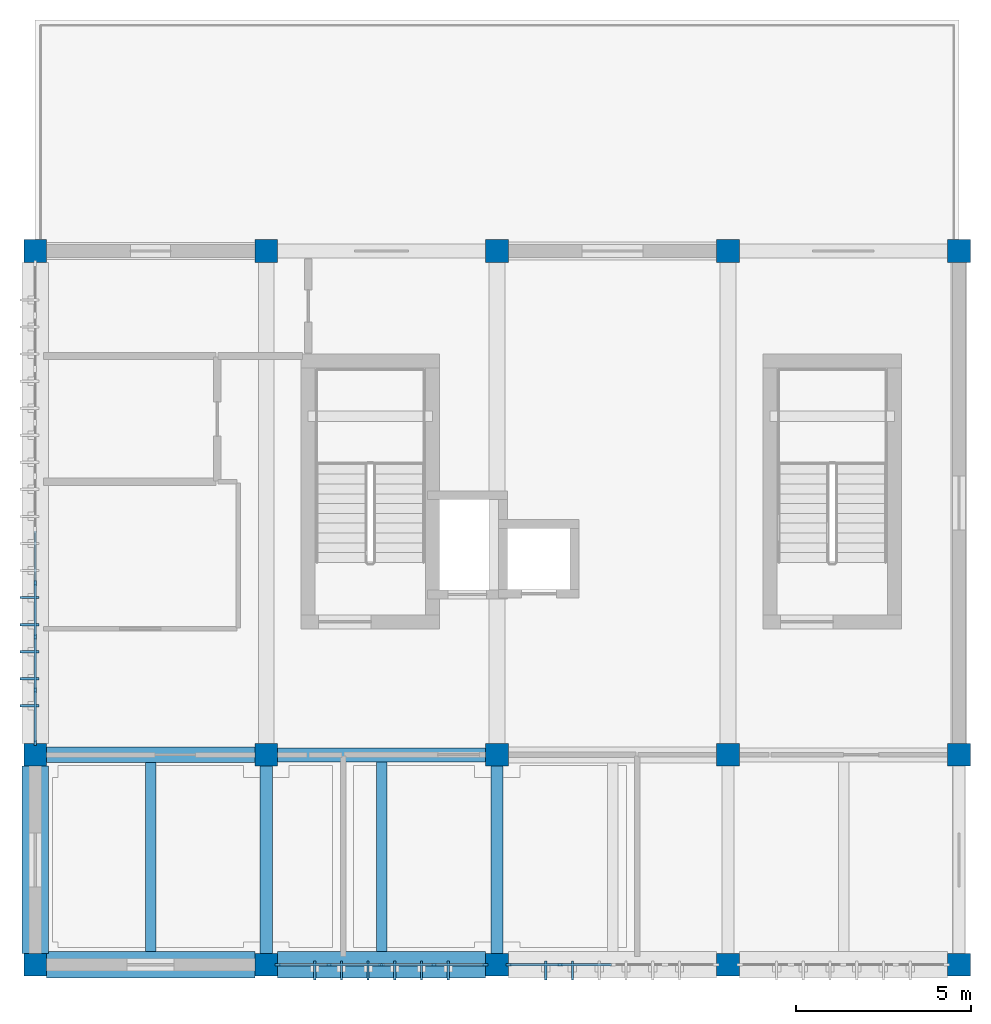
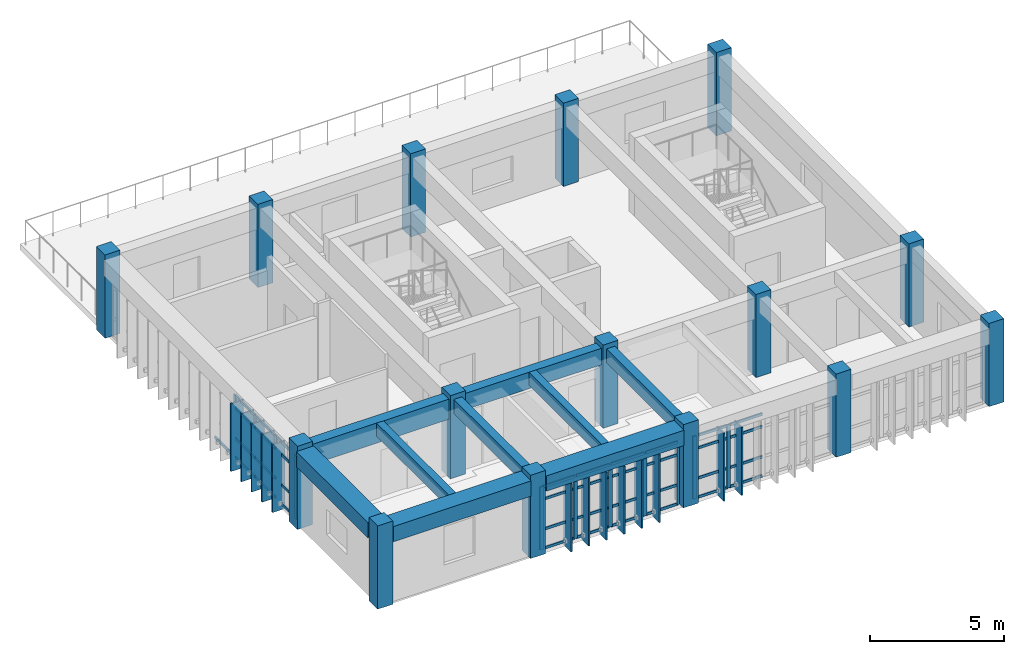
# One storey, part 1 of 8: 61 members, 15 columns, 9 beams, 3 elements without a shape of their own.
"""IFC4 building model written with IfcOpenShell, lengths in metres."""

from ifc_helpers import new_model, si_unit, direction, frame, origin, origin_2d, place, context, subcontext, project, spatial, rectangle, extrude, material, layer, layer_set, material_profile, profile_set, type_object, element, aggregate, save


model = new_model("IFC4")

# Units and contexts
model_context = context("Model", 3, precision=1e-05, world=origin(), true_north=direction((0.0, 1.0)))
body_context = subcontext(model_context, "Body", "Model", "MODEL_VIEW")
ifc_project = project(units=[si_unit("LENGTHUNIT", "METRE"), si_unit("AREAUNIT", "SQUARE_METRE"), si_unit("VOLUMEUNIT", "CUBIC_METRE"), si_unit("PLANEANGLEUNIT", "RADIAN"), si_unit("MASSUNIT", "GRAM", prefix="KILO")], contexts=[model_context])

# Site, building, storey
site_placement = place(None, origin())
site = spatial("IfcSite", under=ifc_project, at=site_placement, CompositionType="ELEMENT")
building_placement = place(site_placement, origin())
building = spatial("IfcBuilding", under=site, at=building_placement, Name="Miralva Faculty of Natural Sciences", CompositionType="ELEMENT")
storey_placement = place(building_placement, frame((0.0, 0.0, 36.800048828125)))
storey = spatial("IfcBuildingStorey", under=building, at=storey_placement, Name="L08", CompositionType="ELEMENT", Elevation=36.800048828125)

# Columns
ifc_material_1 = material(Name="Concrete C40/50", Category="concrete")
ifc_material_profile_1 = material_profile(ifc_material_1, rectangle(XDim=0.64990234375, YDim=0.64990234375, at=origin_2d()), Name="RC 650x650")
ifc_profile_set_1 = profile_set([ifc_material_profile_1], Name="Concrete C40/50")
column_type = type_object("IfcColumnType", Name="COL-C08", PredefinedType="COLUMN", material=ifc_profile_set_1)
for number, where, z_axis, x_axis, name in (
    (1, (3.0, 3.0, 0.0), (0.0, 0.0, 1.0), (1.0, 0.0, 0.0), "Column CS-V5-1A L08"),
    (2, (3.0, 9.0, 0.0), (0.0, 0.0, 1.0), (1.0, 0.0, 0.0), "Column CS-V5-1B L08"),
    (3, (3.0, 23.39990234375, 0.0), (0.0, 0.0, 1.0), (1.0, 0.0, 0.0), "Column CS-V5-1C L08"),
    (4, (9.60009765625, 3.0, 0.0), (0.0, 0.0, 1.0), (1.0, 0.0, 0.0), "Column CS-V5-2A L08"),
    (5, (9.60009765625, 9.0, 0.0), (0.0, 0.0, 1.0), (1.0, 0.0, 0.0), "Column CS-V5-2B L08"),
    (6, (9.60009765625, 23.39990234375, 0.0), (0.0, 0.0, 1.0), (1.0, 0.0, 0.0), "Column CS-V5-2C L08"),
    (7, (16.199951171875, 3.0, 0.0), (0.0, 0.0, 1.0), (1.0, 0.0, 0.0), "Column CS-V5-3A L08"),
    (8, (16.199951171875, 9.0, 0.0), (0.0, 0.0, 1.0), (1.0, 0.0, 0.0), "Column CS-V5-3B L08"),
    (9, (16.199951171875, 23.39990234375, 0.0), (0.0, 0.0, 1.0), (1.0, 0.0, 0.0), "Column CS-V5-3C L08"),
    (10, (22.800048828125, 3.0, 0.0), (0.0, 0.0, 1.0), (1.0, 0.0, 0.0), "Column CS-V5-4A L08"),
    (11, (22.800048828125, 9.0, 0.0), (0.0, 0.0, 1.0), (1.0, 0.0, 0.0), "Column CS-V5-4B L08"),
    (12, (22.800048828125, 23.39990234375, 0.0), (0.0, 0.0, 1.0), (1.0, 0.0, 0.0), "Column CS-V5-4C L08"),
    (13, (29.39990234375, 3.0, 0.0), (0.0, 0.0, 1.0), (1.0, 0.0, 0.0), "Column CS-V5-5A L08"),
    (14, (29.39990234375, 9.0, 0.0), (0.0, 0.0, 1.0), (1.0, 0.0, 0.0), "Column CS-V5-5B L08"),
    (15, (29.39990234375, 23.39990234375, 0.0), (0.0, 0.0, 1.0), (1.0, 0.0, 0.0), "Column CS-V5-5C L08"),
):
    element("IfcColumn", number, at=place(storey_placement, frame(where, z_axis=z_axis, x_axis=x_axis)), inside=storey, type_object=column_type, Name=name, PredefinedType="COLUMN", context=body_context, shape_type="SweptSolid", body=[
        extrude(rectangle(XDim=0.64990234375, YDim=0.64990234375, at=origin_2d()), origin(), (0.0, 0.0, 1.0), 3.800048828125),
    ])

# Beams
ifc_material_profile_2 = material_profile(ifc_material_1, rectangle(XDim=0.39990234375, YDim=0.75, at=origin_2d()), Name="RC 400x750")
ifc_profile_set_2 = profile_set([ifc_material_profile_2], Name="Concrete C40/50")
beam_type_1 = type_object("IfcBeamType", Name="BM-B03", PredefinedType="BEAM", material=ifc_profile_set_2)
beam_1_placement = place(storey_placement, frame((9.925048828125, 9.0, 3.204833984375), z_axis=(1.0, 0.0, 0.0), x_axis=(0.0, 1.0, 0.0)))
element("IfcBeam", 16, at=beam_1_placement, inside=storey, type_object=beam_type_1, Name="Girder EW L08-6", PredefinedType="BEAM", context=body_context, shape_type="SweptSolid", body=[
    extrude(rectangle(XDim=0.39990234375, YDim=0.75, at=origin_2d()), origin(), (0.0, 0.0, 1.0), 5.949951171875),
])
ifc_material_profile_3 = material_profile(ifc_material_1, rectangle(XDim=0.35009765625, YDim=0.64990234375, at=origin_2d()), Name="RC 350x650")
ifc_profile_set_3 = profile_set([ifc_material_profile_3], Name="Concrete C40/50")
beam_type_2 = type_object("IfcBeamType", Name="BM-B05", PredefinedType="BEAM", material=ifc_profile_set_3)
for number, where, z_axis, x_axis, name in (
    (17, (9.60009765625, 3.324951171875, 3.2548828125), (0.0, 1.0, 0.0), (-1.0, 0.0, 0.0), "Girder NS L08-15"),
    (18, (16.199951171875, 3.324951171875, 3.2548828125), (0.0, 1.0, 0.0), (-1.0, 0.0, 0.0), "Girder NS L08-17"),
):
    element("IfcBeam", number, at=place(storey_placement, frame(where, z_axis=z_axis, x_axis=x_axis)), inside=storey, type_object=beam_type_2, Name=name, PredefinedType="BEAM", context=body_context, shape_type="SweptSolid", body=[
        extrude(rectangle(XDim=0.35009765625, YDim=0.64990234375, at=origin_2d()), origin(), (0.0, 0.0, 1.0), 5.35009765625),
    ])
ifc_material_profile_4 = material_profile(ifc_material_1, rectangle(XDim=0.43994140625, YDim=0.919921875, at=origin_2d()), Name="RC 440x920")
ifc_profile_set_4 = profile_set([ifc_material_profile_4], Name="Concrete C40/50")
beam_type_3 = type_object("IfcBeamType", Name="BM-BG14", PredefinedType="BEAM", material=ifc_profile_set_4)
beam_2_placement = place(storey_placement, frame((3.324951171875, 9.0, 3.119873046875), z_axis=(1.0, 0.0, 0.0), x_axis=(0.0, 1.0, 0.0)))
element("IfcBeam", 19, at=beam_2_placement, inside=storey, type_object=beam_type_3, Name="Girder EW L08-5", PredefinedType="BEAM", context=body_context, shape_type="SweptSolid", body=[
    extrude(rectangle(XDim=0.43994140625, YDim=0.919921875, at=origin_2d()), origin(), (0.0, 0.0, 1.0), 5.949951171875),
])
ifc_material_profile_5 = material_profile(ifc_material_1, rectangle(XDim=0.300048828125, YDim=0.60009765625, at=origin_2d()), Name="RC 300x600")
ifc_profile_set_5 = profile_set([ifc_material_profile_5], Name="Concrete C40/50")
beam_type_4 = type_object("IfcBeamType", Name="BM-J01", PredefinedType="JOIST", material=ifc_profile_set_5)
beam_3_placement = place(storey_placement, frame((6.300048828125, 3.375, 3.280029296875), z_axis=(0.0, 1.0, 0.0), x_axis=(-1.0, 0.0, 0.0)))
element("IfcBeam", 20, at=beam_3_placement, inside=storey, type_object=beam_type_4, Name="Floor joist L08-1", PredefinedType="JOIST", context=body_context, shape_type="SweptSolid", body=[
    extrude(rectangle(XDim=0.300048828125, YDim=0.60009765625, at=origin_2d()), origin(), (0.0, 0.0, 1.0), 5.405029296875),
])
beam_4_placement = place(storey_placement, frame((12.89990234375, 3.375, 3.280029296875), z_axis=(0.0, 1.0, 0.0), x_axis=(-1.0, 0.0, 0.0)))
element("IfcBeam", 21, at=beam_4_placement, inside=storey, type_object=beam_type_4, Name="Floor joist L08-2", PredefinedType="JOIST", context=body_context, shape_type="SweptSolid", body=[
    extrude(rectangle(XDim=0.300048828125, YDim=0.60009765625, at=origin_2d()), origin(), (0.0, 0.0, 1.0), 5.425048828125),
])
ifc_material_profile_6 = material_profile(ifc_material_1, rectangle(XDim=0.75, YDim=0.699951171875, at=origin_2d()), Name="RC 750x700")
ifc_profile_set_6 = profile_set([ifc_material_profile_6], Name="Concrete C40/50")
beam_type_5 = type_object("IfcBeamType", Name="BM-SP01", PredefinedType="SPANDREL", material=ifc_profile_set_6)
for number, where, z_axis, x_axis, name in (
    (22, (3.324951171875, 3.0, 3.22998046875), (1.0, 0.0, 0.0), (0.0, 1.0, 0.0), "Girder EW L08-1"),
    (23, (9.925048828125, 3.0, 3.22998046875), (1.0, 0.0, 0.0), (0.0, 1.0, 0.0), "Girder EW L08-2"),
):
    element("IfcBeam", number, at=place(storey_placement, frame(where, z_axis=z_axis, x_axis=x_axis)), inside=storey, type_object=beam_type_5, Name=name, PredefinedType="SPANDREL", context=body_context, shape_type="SweptSolid", body=[
        extrude(rectangle(XDim=0.75, YDim=0.699951171875, at=origin_2d()), origin(), (0.0, 0.0, 1.0), 5.949951171875),
    ])
beam_5_placement = place(storey_placement, frame((3.0, 3.324951171875, 3.22998046875), z_axis=(0.0, 1.0, 0.0), x_axis=(-1.0, 0.0, 0.0)))
element("IfcBeam", 24, at=beam_5_placement, inside=storey, type_object=beam_type_5, Name="Girder NS L08-13", PredefinedType="SPANDREL", context=body_context, shape_type="SweptSolid", body=[
    extrude(rectangle(XDim=0.75, YDim=0.699951171875, at=origin_2d()), origin(), (0.0, 0.0, 1.0), 5.35009765625),
])

# Curtain wall, members
ifc_material_2 = material(Name="Laminated solar-control glass", Category="glass")
ifc_layer = layer(ifc_material_2, 0.179931640625, Name="CW-TWR-L07")
ifc_layer_set = layer_set([ifc_layer], Name="Laminated solar-control glass")
curtain_wall_type = type_object("IfcCurtainWallType", Name="CW-TWR-L07", PredefinedType="USERDEFINED", material=ifc_layer_set)
curtain_wall_1_placement = place(storey_placement, origin())
curtain_wall_1 = element("IfcCurtainWall", 25, at=curtain_wall_1_placement, inside=storey, type_object=curtain_wall_type, Name="Curtain wall CW-15 L08-247", ObjectType="UNITISED CURTAIN WALL", PredefinedType="USERDEFINED")
ifc_material_3 = material(Name="Anodised aluminium", Category="aluminium")
ifc_material_profile_7 = material_profile(ifc_material_3, rectangle(XDim=0.06494140625, YDim=0.159912109375, at=origin_2d()), Name="MULLION 65x160")
ifc_profile_set_7 = profile_set([ifc_material_profile_7], Name="Anodised aluminium")
member_type_1 = type_object("IfcMemberType", Name="CW-M02", PredefinedType="MULLION", material=ifc_profile_set_7)
member_1_placement = place(storey_placement, frame((9.9375, 3.0, 0.0), z_axis=(0.0, 0.0, 1.0), x_axis=(0.0, 1.0, 0.0)))
member_1 = element("IfcMember", 26, at=member_1_placement, type_object=member_type_1, Name="CW-15 mullion 1", PredefinedType="MULLION", context=body_context, shape_type="SweptSolid", body=[
    extrude(rectangle(XDim=0.06494140625, YDim=0.159912109375, at=origin_2d()), origin(), (0.0, 0.0, 1.0), 2.875),
])
member_2_placement = place(storey_placement, frame((11.39990234375, 3.0, 0.0), z_axis=(0.0, 0.0, 1.0), x_axis=(0.0, 1.0, 0.0)))
member_2 = element("IfcMember", 27, at=member_2_placement, type_object=member_type_1, Name="CW-15 mullion 2", PredefinedType="MULLION", context=body_context, shape_type="SweptSolid", body=[
    extrude(rectangle(XDim=0.06494140625, YDim=0.159912109375, at=origin_2d()), origin(), (0.0, 0.0, 1.0), 2.875),
])
member_3_placement = place(storey_placement, frame((12.89501953125, 3.0, 0.0), z_axis=(0.0, 0.0, 1.0), x_axis=(0.0, 1.0, 0.0)))
member_3 = element("IfcMember", 28, at=member_3_placement, type_object=member_type_1, Name="CW-15 mullion 3", PredefinedType="MULLION", context=body_context, shape_type="SweptSolid", body=[
    extrude(rectangle(XDim=0.06494140625, YDim=0.159912109375, at=origin_2d()), origin(), (0.0, 0.0, 1.0), 2.875),
])
member_4_placement = place(storey_placement, frame((14.389892578125, 3.0, 0.0), z_axis=(0.0, 0.0, 1.0), x_axis=(0.0, 1.0, 0.0)))
member_4 = element("IfcMember", 29, at=member_4_placement, type_object=member_type_1, Name="CW-15 mullion 4", PredefinedType="MULLION", context=body_context, shape_type="SweptSolid", body=[
    extrude(rectangle(XDim=0.06494140625, YDim=0.159912109375, at=origin_2d()), origin(), (0.0, 0.0, 1.0), 2.875),
])
member_5_placement = place(storey_placement, frame((15.8525390625, 3.0, 0.0), z_axis=(0.0, 0.0, 1.0), x_axis=(0.0, 1.0, 0.0)))
member_5 = element("IfcMember", 30, at=member_5_placement, type_object=member_type_1, Name="CW-15 mullion 5", PredefinedType="MULLION", context=body_context, shape_type="SweptSolid", body=[
    extrude(rectangle(XDim=0.06494140625, YDim=0.159912109375, at=origin_2d()), origin(), (0.0, 0.0, 1.0), 2.875),
])

curtain_wall_2_placement = place(storey_placement, origin())
curtain_wall_2 = element("IfcCurtainWall", 31, at=curtain_wall_2_placement, inside=storey, type_object=curtain_wall_type, Name="Curtain wall CW-15 L08-248", ObjectType="UNITISED CURTAIN WALL", PredefinedType="USERDEFINED")
member_6_placement = place(storey_placement, frame((16.53759765625, 3.0, 0.0), z_axis=(0.0, 0.0, 1.0), x_axis=(0.0, 1.0, 0.0)))
member_6 = element("IfcMember", 32, at=member_6_placement, type_object=member_type_1, Name="CW-15 mullion 1", PredefinedType="MULLION", context=body_context, shape_type="SweptSolid", body=[
    extrude(rectangle(XDim=0.06494140625, YDim=0.159912109375, at=origin_2d()), origin(), (0.0, 0.0, 1.0), 2.875),
])
member_7_placement = place(storey_placement, frame((18.00244140625, 3.0, 0.0), z_axis=(0.0, 0.0, 1.0), x_axis=(0.0, 1.0, 0.0)))
member_7 = element("IfcMember", 33, at=member_7_placement, type_object=member_type_1, Name="CW-15 mullion 2", PredefinedType="MULLION", context=body_context, shape_type="SweptSolid", body=[
    extrude(rectangle(XDim=0.06494140625, YDim=0.159912109375, at=origin_2d()), origin(), (0.0, 0.0, 1.0), 2.875),
])

curtain_wall_3_placement = place(storey_placement, origin())
curtain_wall_3 = element("IfcCurtainWall", 34, at=curtain_wall_3_placement, inside=storey, type_object=curtain_wall_type, Name="Curtain wall CW-15 L08-250", ObjectType="UNITISED CURTAIN WALL", PredefinedType="USERDEFINED")
member_8_placement = place(storey_placement, frame((3.0, 9.347412109375, 0.0), z_axis=(0.0, 0.0, 1.0), x_axis=(-1.0, 0.0, 0.0)))
member_8 = element("IfcMember", 35, at=member_8_placement, type_object=member_type_1, Name="CW-15 mullion 1", PredefinedType="MULLION", context=body_context, shape_type="SweptSolid", body=[
    extrude(rectangle(XDim=0.06494140625, YDim=0.159912109375, at=origin_2d()), origin(), (0.0, 0.0, 1.0), 2.875),
])
member_9_placement = place(storey_placement, frame((3.0, 10.844970703125, 0.0), z_axis=(0.0, 0.0, 1.0), x_axis=(-1.0, 0.0, 0.0)))
member_9 = element("IfcMember", 36, at=member_9_placement, type_object=member_type_1, Name="CW-15 mullion 2", PredefinedType="MULLION", context=body_context, shape_type="SweptSolid", body=[
    extrude(rectangle(XDim=0.06494140625, YDim=0.159912109375, at=origin_2d()), origin(), (0.0, 0.0, 1.0), 2.875),
])
member_10_placement = place(storey_placement, frame((3.0, 12.375, 0.0), z_axis=(0.0, 0.0, 1.0), x_axis=(-1.0, 0.0, 0.0)))
member_10 = element("IfcMember", 37, at=member_10_placement, type_object=member_type_1, Name="CW-15 mullion 3", PredefinedType="MULLION", context=body_context, shape_type="SweptSolid", body=[
    extrude(rectangle(XDim=0.06494140625, YDim=0.159912109375, at=origin_2d()), origin(), (0.0, 0.0, 1.0), 2.875),
])
member_11_placement = place(storey_placement, frame((3.0, 13.905029296875, 0.0), z_axis=(0.0, 0.0, 1.0), x_axis=(-1.0, 0.0, 0.0)))
member_11 = element("IfcMember", 38, at=member_11_placement, type_object=member_type_1, Name="CW-15 mullion 4", PredefinedType="MULLION", context=body_context, shape_type="SweptSolid", body=[
    extrude(rectangle(XDim=0.06494140625, YDim=0.159912109375, at=origin_2d()), origin(), (0.0, 0.0, 1.0), 2.875),
])

# Member
ifc_material_profile_8 = material_profile(ifc_material_3, rectangle(XDim=0.06005859375, YDim=0.1201171875, at=origin_2d()), Name="TRANSOM 60x120")
ifc_profile_set_8 = profile_set([ifc_material_profile_8], Name="Anodised aluminium")
member_type_2 = type_object("IfcMemberType", Name="CW-T02", PredefinedType="USERDEFINED", material=ifc_profile_set_8)
member_12_placement = place(storey_placement, frame((9.969970703125, 3.0, 0.030029296875), z_axis=(1.0, 0.0, 0.0), x_axis=(0.0, 1.0, 0.0)))
member_12 = element("IfcMember", 39, at=member_12_placement, type_object=member_type_2, Name="CW-15 transom 1.1", ObjectType="TRANSOM", PredefinedType="USERDEFINED", context=body_context, shape_type="SweptSolid", body=[
    extrude(rectangle(XDim=0.06005859375, YDim=0.1201171875, at=origin_2d()), origin(), (0.0, 0.0, 1.0), 1.3974609375),
])

member_13_placement = place(storey_placement, frame((9.969970703125, 3.0, 0.89990234375), z_axis=(1.0, 0.0, 0.0), x_axis=(0.0, 1.0, 0.0)))
member_13 = element("IfcMember", 40, at=member_13_placement, type_object=member_type_2, Name="CW-15 transom 1.2", ObjectType="TRANSOM", PredefinedType="USERDEFINED", context=body_context, shape_type="SweptSolid", body=[
    extrude(rectangle(XDim=0.06005859375, YDim=0.1201171875, at=origin_2d()), origin(), (0.0, 0.0, 1.0), 1.3974609375),
])

member_14_placement = place(storey_placement, frame((9.969970703125, 3.0, 2.27490234375), z_axis=(1.0, 0.0, 0.0), x_axis=(0.0, 1.0, 0.0)))
member_14 = element("IfcMember", 41, at=member_14_placement, type_object=member_type_2, Name="CW-15 transom 1.3", ObjectType="TRANSOM", PredefinedType="USERDEFINED", context=body_context, shape_type="SweptSolid", body=[
    extrude(rectangle(XDim=0.06005859375, YDim=0.1201171875, at=origin_2d()), origin(), (0.0, 0.0, 1.0), 1.3974609375),
])

member_15_placement = place(storey_placement, frame((9.969970703125, 3.0, 2.844970703125), z_axis=(1.0, 0.0, 0.0), x_axis=(0.0, 1.0, 0.0)))
member_15 = element("IfcMember", 42, at=member_15_placement, type_object=member_type_2, Name="CW-15 transom 1.4", ObjectType="TRANSOM", PredefinedType="USERDEFINED", context=body_context, shape_type="SweptSolid", body=[
    extrude(rectangle(XDim=0.06005859375, YDim=0.1201171875, at=origin_2d()), origin(), (0.0, 0.0, 1.0), 1.3974609375),
])

member_16_placement = place(storey_placement, frame((11.4326171875, 3.0, 0.030029296875), z_axis=(1.0, 0.0, 0.0), x_axis=(0.0, 1.0, 0.0)))
member_16 = element("IfcMember", 43, at=member_16_placement, type_object=member_type_2, Name="CW-15 transom 2.1", ObjectType="TRANSOM", PredefinedType="USERDEFINED", context=body_context, shape_type="SweptSolid", body=[
    extrude(rectangle(XDim=0.06005859375, YDim=0.1201171875, at=origin_2d()), origin(), (0.0, 0.0, 1.0), 1.429931640625),
])

member_17_placement = place(storey_placement, frame((11.4326171875, 3.0, 0.89990234375), z_axis=(1.0, 0.0, 0.0), x_axis=(0.0, 1.0, 0.0)))
member_17 = element("IfcMember", 44, at=member_17_placement, type_object=member_type_2, Name="CW-15 transom 2.2", ObjectType="TRANSOM", PredefinedType="USERDEFINED", context=body_context, shape_type="SweptSolid", body=[
    extrude(rectangle(XDim=0.06005859375, YDim=0.1201171875, at=origin_2d()), origin(), (0.0, 0.0, 1.0), 1.429931640625),
])

member_18_placement = place(storey_placement, frame((11.4326171875, 3.0, 2.27490234375), z_axis=(1.0, 0.0, 0.0), x_axis=(0.0, 1.0, 0.0)))
member_18 = element("IfcMember", 45, at=member_18_placement, type_object=member_type_2, Name="CW-15 transom 2.3", ObjectType="TRANSOM", PredefinedType="USERDEFINED", context=body_context, shape_type="SweptSolid", body=[
    extrude(rectangle(XDim=0.06005859375, YDim=0.1201171875, at=origin_2d()), origin(), (0.0, 0.0, 1.0), 1.429931640625),
])

member_19_placement = place(storey_placement, frame((11.4326171875, 3.0, 2.844970703125), z_axis=(1.0, 0.0, 0.0), x_axis=(0.0, 1.0, 0.0)))
member_19 = element("IfcMember", 46, at=member_19_placement, type_object=member_type_2, Name="CW-15 transom 2.4", ObjectType="TRANSOM", PredefinedType="USERDEFINED", context=body_context, shape_type="SweptSolid", body=[
    extrude(rectangle(XDim=0.06005859375, YDim=0.1201171875, at=origin_2d()), origin(), (0.0, 0.0, 1.0), 1.429931640625),
])

member_20_placement = place(storey_placement, frame((12.927490234375, 3.0, 0.030029296875), z_axis=(1.0, 0.0, 0.0), x_axis=(0.0, 1.0, 0.0)))
member_20 = element("IfcMember", 47, at=member_20_placement, type_object=member_type_2, Name="CW-15 transom 3.1", ObjectType="TRANSOM", PredefinedType="USERDEFINED", context=body_context, shape_type="SweptSolid", body=[
    extrude(rectangle(XDim=0.06005859375, YDim=0.1201171875, at=origin_2d()), origin(), (0.0, 0.0, 1.0), 1.429931640625),
])

member_21_placement = place(storey_placement, frame((12.927490234375, 3.0, 0.89990234375), z_axis=(1.0, 0.0, 0.0), x_axis=(0.0, 1.0, 0.0)))
member_21 = element("IfcMember", 48, at=member_21_placement, type_object=member_type_2, Name="CW-15 transom 3.2", ObjectType="TRANSOM", PredefinedType="USERDEFINED", context=body_context, shape_type="SweptSolid", body=[
    extrude(rectangle(XDim=0.06005859375, YDim=0.1201171875, at=origin_2d()), origin(), (0.0, 0.0, 1.0), 1.429931640625),
])

member_22_placement = place(storey_placement, frame((12.927490234375, 3.0, 2.27490234375), z_axis=(1.0, 0.0, 0.0), x_axis=(0.0, 1.0, 0.0)))
member_22 = element("IfcMember", 49, at=member_22_placement, type_object=member_type_2, Name="CW-15 transom 3.3", ObjectType="TRANSOM", PredefinedType="USERDEFINED", context=body_context, shape_type="SweptSolid", body=[
    extrude(rectangle(XDim=0.06005859375, YDim=0.1201171875, at=origin_2d()), origin(), (0.0, 0.0, 1.0), 1.429931640625),
])

member_23_placement = place(storey_placement, frame((12.927490234375, 3.0, 2.844970703125), z_axis=(1.0, 0.0, 0.0), x_axis=(0.0, 1.0, 0.0)))
member_23 = element("IfcMember", 50, at=member_23_placement, type_object=member_type_2, Name="CW-15 transom 3.4", ObjectType="TRANSOM", PredefinedType="USERDEFINED", context=body_context, shape_type="SweptSolid", body=[
    extrude(rectangle(XDim=0.06005859375, YDim=0.1201171875, at=origin_2d()), origin(), (0.0, 0.0, 1.0), 1.429931640625),
])

member_24_placement = place(storey_placement, frame((14.422607421875, 3.0, 0.030029296875), z_axis=(1.0, 0.0, 0.0), x_axis=(0.0, 1.0, 0.0)))
member_24 = element("IfcMember", 51, at=member_24_placement, type_object=member_type_2, Name="CW-15 transom 4.1", ObjectType="TRANSOM", PredefinedType="USERDEFINED", context=body_context, shape_type="SweptSolid", body=[
    extrude(rectangle(XDim=0.06005859375, YDim=0.1201171875, at=origin_2d()), origin(), (0.0, 0.0, 1.0), 1.3974609375),
])

member_25_placement = place(storey_placement, frame((14.422607421875, 3.0, 0.89990234375), z_axis=(1.0, 0.0, 0.0), x_axis=(0.0, 1.0, 0.0)))
member_25 = element("IfcMember", 52, at=member_25_placement, type_object=member_type_2, Name="CW-15 transom 4.2", ObjectType="TRANSOM", PredefinedType="USERDEFINED", context=body_context, shape_type="SweptSolid", body=[
    extrude(rectangle(XDim=0.06005859375, YDim=0.1201171875, at=origin_2d()), origin(), (0.0, 0.0, 1.0), 1.3974609375),
])

member_26_placement = place(storey_placement, frame((14.422607421875, 3.0, 2.27490234375), z_axis=(1.0, 0.0, 0.0), x_axis=(0.0, 1.0, 0.0)))
member_26 = element("IfcMember", 53, at=member_26_placement, type_object=member_type_2, Name="CW-15 transom 4.3", ObjectType="TRANSOM", PredefinedType="USERDEFINED", context=body_context, shape_type="SweptSolid", body=[
    extrude(rectangle(XDim=0.06005859375, YDim=0.1201171875, at=origin_2d()), origin(), (0.0, 0.0, 1.0), 1.3974609375),
])

member_27_placement = place(storey_placement, frame((14.422607421875, 3.0, 2.844970703125), z_axis=(1.0, 0.0, 0.0), x_axis=(0.0, 1.0, 0.0)))
member_27 = element("IfcMember", 54, at=member_27_placement, type_object=member_type_2, Name="CW-15 transom 4.4", ObjectType="TRANSOM", PredefinedType="USERDEFINED", context=body_context, shape_type="SweptSolid", body=[
    extrude(rectangle(XDim=0.06005859375, YDim=0.1201171875, at=origin_2d()), origin(), (0.0, 0.0, 1.0), 1.3974609375),
])

aggregate(curtain_wall_1, [member_1, member_2, member_3, member_4, member_5, member_12, member_13, member_14, member_15, member_16, member_17, member_18, member_19, member_20, member_21, member_22, member_23, member_24, member_25, member_26, member_27])

member_28_placement = place(storey_placement, frame((16.570068359375, 3.0, 0.030029296875), z_axis=(1.0, 0.0, 0.0), x_axis=(0.0, 1.0, 0.0)))
member_28 = element("IfcMember", 55, at=member_28_placement, type_object=member_type_2, Name="CW-15 transom 1.1", ObjectType="TRANSOM", PredefinedType="USERDEFINED", context=body_context, shape_type="SweptSolid", body=[
    extrude(rectangle(XDim=0.06005859375, YDim=0.1201171875, at=origin_2d()), origin(), (0.0, 0.0, 1.0), 1.39990234375),
])

member_29_placement = place(storey_placement, frame((16.570068359375, 3.0, 0.89990234375), z_axis=(1.0, 0.0, 0.0), x_axis=(0.0, 1.0, 0.0)))
member_29 = element("IfcMember", 56, at=member_29_placement, type_object=member_type_2, Name="CW-15 transom 1.2", ObjectType="TRANSOM", PredefinedType="USERDEFINED", context=body_context, shape_type="SweptSolid", body=[
    extrude(rectangle(XDim=0.06005859375, YDim=0.1201171875, at=origin_2d()), origin(), (0.0, 0.0, 1.0), 1.39990234375),
])

member_30_placement = place(storey_placement, frame((16.570068359375, 3.0, 2.27490234375), z_axis=(1.0, 0.0, 0.0), x_axis=(0.0, 1.0, 0.0)))
member_30 = element("IfcMember", 57, at=member_30_placement, type_object=member_type_2, Name="CW-15 transom 1.3", ObjectType="TRANSOM", PredefinedType="USERDEFINED", context=body_context, shape_type="SweptSolid", body=[
    extrude(rectangle(XDim=0.06005859375, YDim=0.1201171875, at=origin_2d()), origin(), (0.0, 0.0, 1.0), 1.39990234375),
])

member_31_placement = place(storey_placement, frame((16.570068359375, 3.0, 2.844970703125), z_axis=(1.0, 0.0, 0.0), x_axis=(0.0, 1.0, 0.0)))
member_31 = element("IfcMember", 58, at=member_31_placement, type_object=member_type_2, Name="CW-15 transom 1.4", ObjectType="TRANSOM", PredefinedType="USERDEFINED", context=body_context, shape_type="SweptSolid", body=[
    extrude(rectangle(XDim=0.06005859375, YDim=0.1201171875, at=origin_2d()), origin(), (0.0, 0.0, 1.0), 1.39990234375),
])

member_32_placement = place(storey_placement, frame((18.034912109375, 3.0, 0.030029296875), z_axis=(1.0, 0.0, 0.0), x_axis=(0.0, 1.0, 0.0)))
member_32 = element("IfcMember", 59, at=member_32_placement, type_object=member_type_2, Name="CW-15 transom 2.1", ObjectType="TRANSOM", PredefinedType="USERDEFINED", context=body_context, shape_type="SweptSolid", body=[
    extrude(rectangle(XDim=0.06005859375, YDim=0.1201171875, at=origin_2d()), origin(), (0.0, 0.0, 1.0), 1.4326171875),
])

member_33_placement = place(storey_placement, frame((18.034912109375, 3.0, 0.89990234375), z_axis=(1.0, 0.0, 0.0), x_axis=(0.0, 1.0, 0.0)))
member_33 = element("IfcMember", 60, at=member_33_placement, type_object=member_type_2, Name="CW-15 transom 2.2", ObjectType="TRANSOM", PredefinedType="USERDEFINED", context=body_context, shape_type="SweptSolid", body=[
    extrude(rectangle(XDim=0.06005859375, YDim=0.1201171875, at=origin_2d()), origin(), (0.0, 0.0, 1.0), 1.4326171875),
])

member_34_placement = place(storey_placement, frame((18.034912109375, 3.0, 2.27490234375), z_axis=(1.0, 0.0, 0.0), x_axis=(0.0, 1.0, 0.0)))
member_34 = element("IfcMember", 61, at=member_34_placement, type_object=member_type_2, Name="CW-15 transom 2.3", ObjectType="TRANSOM", PredefinedType="USERDEFINED", context=body_context, shape_type="SweptSolid", body=[
    extrude(rectangle(XDim=0.06005859375, YDim=0.1201171875, at=origin_2d()), origin(), (0.0, 0.0, 1.0), 1.4326171875),
])

member_35_placement = place(storey_placement, frame((18.034912109375, 3.0, 2.844970703125), z_axis=(1.0, 0.0, 0.0), x_axis=(0.0, 1.0, 0.0)))
member_35 = element("IfcMember", 62, at=member_35_placement, type_object=member_type_2, Name="CW-15 transom 2.4", ObjectType="TRANSOM", PredefinedType="USERDEFINED", context=body_context, shape_type="SweptSolid", body=[
    extrude(rectangle(XDim=0.06005859375, YDim=0.1201171875, at=origin_2d()), origin(), (0.0, 0.0, 1.0), 1.4326171875),
])

aggregate(curtain_wall_2, [member_6, member_7, member_28, member_29, member_30, member_31, member_32, member_33, member_34, member_35])

member_36_placement = place(storey_placement, frame((3.0, 9.3798828125, 0.030029296875), z_axis=(0.0, 1.0, 0.0), x_axis=(-1.0, 0.0, 0.0)))
member_36 = element("IfcMember", 63, at=member_36_placement, type_object=member_type_2, Name="CW-15 transom 1.1", ObjectType="TRANSOM", PredefinedType="USERDEFINED", context=body_context, shape_type="SweptSolid", body=[
    extrude(rectangle(XDim=0.06005859375, YDim=0.1201171875, at=origin_2d()), origin(), (0.0, 0.0, 1.0), 1.4326171875),
])

member_37_placement = place(storey_placement, frame((3.0, 9.3798828125, 0.89990234375), z_axis=(0.0, 1.0, 0.0), x_axis=(-1.0, 0.0, 0.0)))
member_37 = element("IfcMember", 64, at=member_37_placement, type_object=member_type_2, Name="CW-15 transom 1.2", ObjectType="TRANSOM", PredefinedType="USERDEFINED", context=body_context, shape_type="SweptSolid", body=[
    extrude(rectangle(XDim=0.06005859375, YDim=0.1201171875, at=origin_2d()), origin(), (0.0, 0.0, 1.0), 1.4326171875),
])

member_38_placement = place(storey_placement, frame((3.0, 9.3798828125, 2.27490234375), z_axis=(0.0, 1.0, 0.0), x_axis=(-1.0, 0.0, 0.0)))
member_38 = element("IfcMember", 65, at=member_38_placement, type_object=member_type_2, Name="CW-15 transom 1.3", ObjectType="TRANSOM", PredefinedType="USERDEFINED", context=body_context, shape_type="SweptSolid", body=[
    extrude(rectangle(XDim=0.06005859375, YDim=0.1201171875, at=origin_2d()), origin(), (0.0, 0.0, 1.0), 1.4326171875),
])

member_39_placement = place(storey_placement, frame((3.0, 9.3798828125, 2.844970703125), z_axis=(0.0, 1.0, 0.0), x_axis=(-1.0, 0.0, 0.0)))
member_39 = element("IfcMember", 66, at=member_39_placement, type_object=member_type_2, Name="CW-15 transom 1.4", ObjectType="TRANSOM", PredefinedType="USERDEFINED", context=body_context, shape_type="SweptSolid", body=[
    extrude(rectangle(XDim=0.06005859375, YDim=0.1201171875, at=origin_2d()), origin(), (0.0, 0.0, 1.0), 1.4326171875),
])

member_40_placement = place(storey_placement, frame((3.0, 10.87744140625, 0.030029296875), z_axis=(0.0, 1.0, 0.0), x_axis=(-1.0, 0.0, 0.0)))
member_40 = element("IfcMember", 67, at=member_40_placement, type_object=member_type_2, Name="CW-15 transom 2.1", ObjectType="TRANSOM", PredefinedType="USERDEFINED", context=body_context, shape_type="SweptSolid", body=[
    extrude(rectangle(XDim=0.06005859375, YDim=0.1201171875, at=origin_2d()), origin(), (0.0, 0.0, 1.0), 1.465087890625),
])

member_41_placement = place(storey_placement, frame((3.0, 10.87744140625, 0.89990234375), z_axis=(0.0, 1.0, 0.0), x_axis=(-1.0, 0.0, 0.0)))
member_41 = element("IfcMember", 68, at=member_41_placement, type_object=member_type_2, Name="CW-15 transom 2.2", ObjectType="TRANSOM", PredefinedType="USERDEFINED", context=body_context, shape_type="SweptSolid", body=[
    extrude(rectangle(XDim=0.06005859375, YDim=0.1201171875, at=origin_2d()), origin(), (0.0, 0.0, 1.0), 1.465087890625),
])

member_42_placement = place(storey_placement, frame((3.0, 10.87744140625, 2.27490234375), z_axis=(0.0, 1.0, 0.0), x_axis=(-1.0, 0.0, 0.0)))
member_42 = element("IfcMember", 69, at=member_42_placement, type_object=member_type_2, Name="CW-15 transom 2.3", ObjectType="TRANSOM", PredefinedType="USERDEFINED", context=body_context, shape_type="SweptSolid", body=[
    extrude(rectangle(XDim=0.06005859375, YDim=0.1201171875, at=origin_2d()), origin(), (0.0, 0.0, 1.0), 1.465087890625),
])

member_43_placement = place(storey_placement, frame((3.0, 10.87744140625, 2.844970703125), z_axis=(0.0, 1.0, 0.0), x_axis=(-1.0, 0.0, 0.0)))
member_43 = element("IfcMember", 70, at=member_43_placement, type_object=member_type_2, Name="CW-15 transom 2.4", ObjectType="TRANSOM", PredefinedType="USERDEFINED", context=body_context, shape_type="SweptSolid", body=[
    extrude(rectangle(XDim=0.06005859375, YDim=0.1201171875, at=origin_2d()), origin(), (0.0, 0.0, 1.0), 1.465087890625),
])

member_44_placement = place(storey_placement, frame((3.0, 12.407470703125, 0.030029296875), z_axis=(0.0, 1.0, 0.0), x_axis=(-1.0, 0.0, 0.0)))
member_44 = element("IfcMember", 71, at=member_44_placement, type_object=member_type_2, Name="CW-15 transom 3.1", ObjectType="TRANSOM", PredefinedType="USERDEFINED", context=body_context, shape_type="SweptSolid", body=[
    extrude(rectangle(XDim=0.06005859375, YDim=0.1201171875, at=origin_2d()), origin(), (0.0, 0.0, 1.0), 1.465087890625),
])

member_45_placement = place(storey_placement, frame((3.0, 12.407470703125, 0.89990234375), z_axis=(0.0, 1.0, 0.0), x_axis=(-1.0, 0.0, 0.0)))
member_45 = element("IfcMember", 72, at=member_45_placement, type_object=member_type_2, Name="CW-15 transom 3.2", ObjectType="TRANSOM", PredefinedType="USERDEFINED", context=body_context, shape_type="SweptSolid", body=[
    extrude(rectangle(XDim=0.06005859375, YDim=0.1201171875, at=origin_2d()), origin(), (0.0, 0.0, 1.0), 1.465087890625),
])

member_46_placement = place(storey_placement, frame((3.0, 12.407470703125, 2.27490234375), z_axis=(0.0, 1.0, 0.0), x_axis=(-1.0, 0.0, 0.0)))
member_46 = element("IfcMember", 73, at=member_46_placement, type_object=member_type_2, Name="CW-15 transom 3.3", ObjectType="TRANSOM", PredefinedType="USERDEFINED", context=body_context, shape_type="SweptSolid", body=[
    extrude(rectangle(XDim=0.06005859375, YDim=0.1201171875, at=origin_2d()), origin(), (0.0, 0.0, 1.0), 1.465087890625),
])

member_47_placement = place(storey_placement, frame((3.0, 12.407470703125, 2.844970703125), z_axis=(0.0, 1.0, 0.0), x_axis=(-1.0, 0.0, 0.0)))
member_47 = element("IfcMember", 74, at=member_47_placement, type_object=member_type_2, Name="CW-15 transom 3.4", ObjectType="TRANSOM", PredefinedType="USERDEFINED", context=body_context, shape_type="SweptSolid", body=[
    extrude(rectangle(XDim=0.06005859375, YDim=0.1201171875, at=origin_2d()), origin(), (0.0, 0.0, 1.0), 1.465087890625),
])

member_48_placement = place(storey_placement, frame((3.0, 13.9375, 0.030029296875), z_axis=(0.0, 1.0, 0.0), x_axis=(-1.0, 0.0, 0.0)))
member_48 = element("IfcMember", 75, at=member_48_placement, type_object=member_type_2, Name="CW-15 transom 4.1", ObjectType="TRANSOM", PredefinedType="USERDEFINED", context=body_context, shape_type="SweptSolid", body=[
    extrude(rectangle(XDim=0.06005859375, YDim=0.1201171875, at=origin_2d()), origin(), (0.0, 0.0, 1.0), 1.465087890625),
])

aggregate(curtain_wall_3, [member_8, member_9, member_10, member_11, member_36, member_37, member_38, member_39, member_40, member_41, member_42, member_43, member_44, member_45, member_46, member_47, member_48])

# Members
ifc_material_profile_9 = material_profile(ifc_material_3, rectangle(XDim=0.06494140625, YDim=0.550048828125, at=origin_2d()), Name="FIN 550x65")
ifc_profile_set_9 = profile_set([ifc_material_profile_9], Name="Anodised aluminium")
member_type_3 = type_object("IfcMemberType", Name="MEM-SF03", PredefinedType="USERDEFINED", material=ifc_profile_set_9)
for number, where, z_axis, x_axis, name in (
    (76, (10.98681640625, 2.840087890625, -0.219970703125), (0.0, 0.0, 1.0), (1.0, 0.0, 0.0), "Solar shading fin SF-03 L08-434"),
    (77, (11.75, 2.840087890625, -0.219970703125), (0.0, 0.0, 1.0), (1.0, 0.0, 0.0), "Solar shading fin SF-03 L08-435"),
    (78, (12.51318359375, 2.840087890625, -0.219970703125), (0.0, 0.0, 1.0), (1.0, 0.0, 0.0), "Solar shading fin SF-03 L08-436"),
    (79, (13.276611328125, 2.840087890625, -0.219970703125), (0.0, 0.0, 1.0), (1.0, 0.0, 0.0), "Solar shading fin SF-03 L08-437"),
    (80, (14.0400390625, 2.840087890625, -0.219970703125), (0.0, 0.0, 1.0), (1.0, 0.0, 0.0), "Solar shading fin SF-03 L08-438"),
    (81, (14.80322265625, 2.840087890625, -0.219970703125), (0.0, 0.0, 1.0), (1.0, 0.0, 0.0), "Solar shading fin SF-03 L08-439"),
    (82, (17.58740234375, 2.840087890625, -0.219970703125), (0.0, 0.0, 1.0), (1.0, 0.0, 0.0), "Solar shading fin SF-03 L08-440"),
    (83, (18.3525390625, 2.840087890625, -0.219970703125), (0.0, 0.0, 1.0), (1.0, 0.0, 0.0), "Solar shading fin SF-03 L08-441"),
    (84, (2.840087890625, 10.401611328125, -0.219970703125), (0.0, 0.0, 1.0), (0.0, -1.0, 0.0), "Solar shading fin SF-03 L08-452"),
    (85, (2.840087890625, 11.1748046875, -0.219970703125), (0.0, 0.0, 1.0), (0.0, -1.0, 0.0), "Solar shading fin SF-03 L08-453"),
    (86, (2.840087890625, 11.94775390625, -0.219970703125), (0.0, 0.0, 1.0), (0.0, -1.0, 0.0), "Solar shading fin SF-03 L08-454"),
    (87, (2.840087890625, 12.720947265625, -0.219970703125), (0.0, 0.0, 1.0), (0.0, -1.0, 0.0), "Solar shading fin SF-03 L08-455"),
    (88, (2.840087890625, 13.494140625, -0.219970703125), (0.0, 0.0, 1.0), (0.0, -1.0, 0.0), "Solar shading fin SF-03 L08-456"),
):
    element("IfcMember", number, at=place(storey_placement, frame(where, z_axis=z_axis, x_axis=x_axis)), inside=storey, type_object=member_type_3, Name=name, ObjectType="SUNSHADE", PredefinedType="USERDEFINED", context=body_context, shape_type="SweptSolid", body=[
        extrude(rectangle(XDim=0.06494140625, YDim=0.550048828125, at=origin_2d()), origin(), (0.0, 0.0, 1.0), 3.094970703125),
    ])

save(model, "model.ifc")
